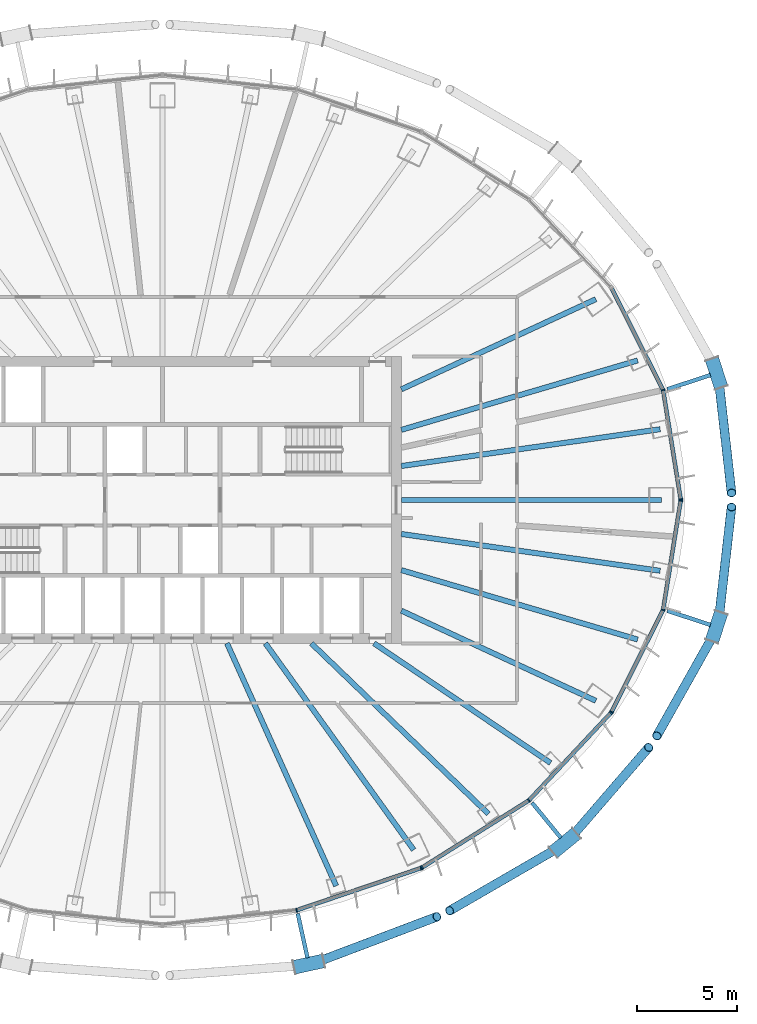
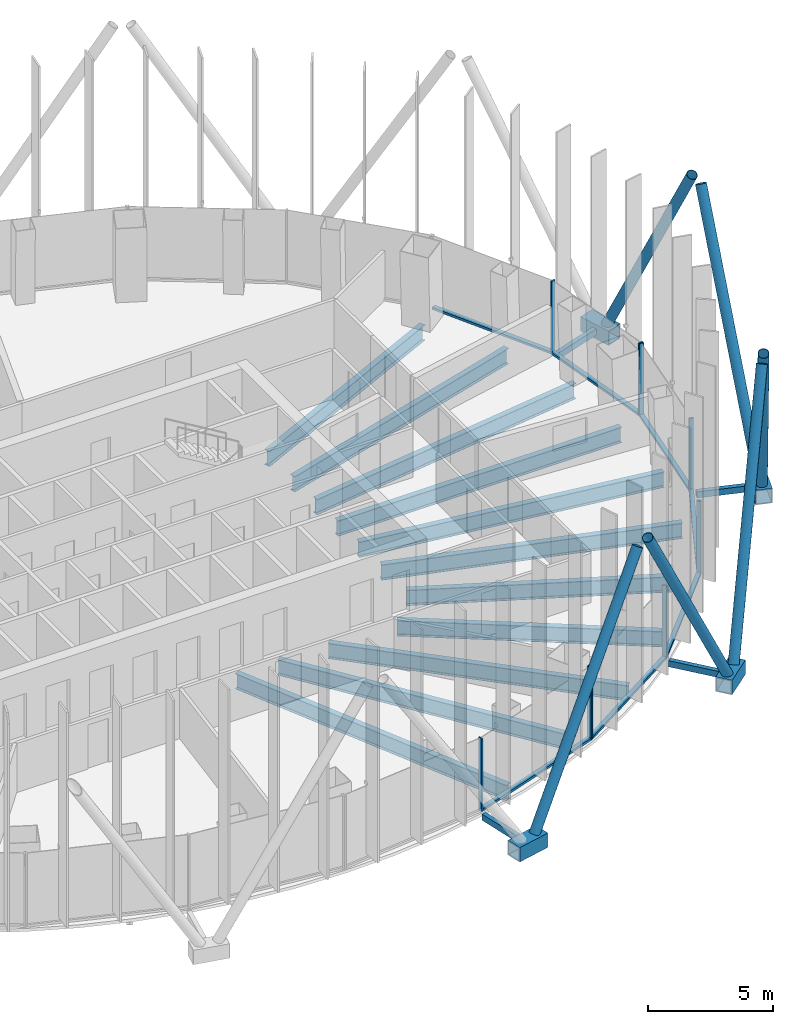
# One storey, part 4 of 19: 31 members, 11 beams, 4 elements without a shape of their own.
"""IFC4 building model written with IfcOpenShell, lengths in metres."""

from ifc_helpers import new_model, si_unit, direction, frame, origin, origin_2d, place, context, subcontext, project, spatial, rectangle, hollow_rectangle, hollow_circle, i_section, extrude, material, layer, layer_set, material_profile, profile_set, type_object, element, aggregate, save


model = new_model("IFC4")

# Units and contexts
model_context = context("Model", 3, precision=1e-05, world=origin(), true_north=direction((0.0, 1.0)))
body_context = subcontext(model_context, "Body", "Model", "MODEL_VIEW")
ifc_project = project(units=[si_unit("LENGTHUNIT", "METRE"), si_unit("AREAUNIT", "SQUARE_METRE"), si_unit("VOLUMEUNIT", "CUBIC_METRE"), si_unit("PLANEANGLEUNIT", "RADIAN"), si_unit("MASSUNIT", "GRAM", prefix="KILO")], contexts=[model_context])

# Site, building, storey
site_placement = place(None, origin())
site = spatial("IfcSite", under=ifc_project, at=site_placement, CompositionType="ELEMENT")
building_placement = place(site_placement, origin())
building = spatial("IfcBuilding", under=site, at=building_placement, Name="Siaravel Broadcast Tower", CompositionType="ELEMENT")
storey_placement = place(building_placement, frame((0.0, 0.0, 97.10009765625)))
storey = spatial("IfcBuildingStorey", under=building, at=storey_placement, Name="L22", CompositionType="ELEMENT", Elevation=97.10009765625)

# Beams
ifc_material_1 = material(Name="Steel S355", Category="steel")
ifc_material_profile_1 = material_profile(ifc_material_1, i_section(OverallWidth=0.26513671875, OverallDepth=0.75390625, WebThickness=0.0126953125, FlangeThickness=0.017578125, FilletRadius=0.0166015625, at=origin_2d()))
ifc_profile_set_1 = profile_set([ifc_material_profile_1], Name="Steel S355")
beam_type = type_object("IfcBeamType", Name="BM-UB 762x267x147", PredefinedType="BEAM", material=ifc_profile_set_1)
beam_1_placement = place(storey_placement, frame((25.08154296875, 0.0, -0.527099609375), z_axis=(-1.0, 0.0, 0.0), x_axis=(0.0, -1.0, 0.0)))
element("IfcBeam", 1, at=beam_1_placement, inside=storey, type_object=beam_type, Name="Radial beam RB01", PredefinedType="BEAM", context=body_context, shape_type="SweptSolid", body=[
    extrude(i_section(OverallWidth=0.26513671875, OverallDepth=0.75390625, WebThickness=0.0126953125, FlangeThickness=0.017578125, FilletRadius=0.0166015625, at=origin_2d()), origin(), (0.0, 0.0, 1.0), 13.08154296875),
])
beam_2_placement = place(storey_placement, frame((25.001708984375, 3.5556640625, -0.527099609375), z_axis=(-0.99003742, -0.140804496, 0.0), x_axis=(0.140804496, -0.99003742, 0.0)))
element("IfcBeam", 2, at=beam_2_placement, inside=storey, type_object=beam_type, Name="Radial beam RB02", PredefinedType="BEAM", context=body_context, shape_type="SweptSolid", body=[
    extrude(i_section(OverallWidth=0.26513671875, OverallDepth=0.75390625, WebThickness=0.0126953125, FlangeThickness=0.017578125, FilletRadius=0.0166015625, at=origin_2d()), origin(), (0.0, 0.0, 1.0), 13.132568359375),
])
beam_3_placement = place(storey_placement, frame((23.87158203125, 7.010009765625, -0.527099609375), z_axis=(-0.959487009, -0.281752869, 0.0), x_axis=(0.281752869, -0.959487009, 0.0)))
element("IfcBeam", 3, at=beam_3_placement, inside=storey, type_object=beam_type, Name="Radial beam RB03", PredefinedType="BEAM", context=body_context, shape_type="SweptSolid", body=[
    extrude(i_section(OverallWidth=0.26513671875, OverallDepth=0.75390625, WebThickness=0.0126953125, FlangeThickness=0.017578125, FilletRadius=0.0166015625, at=origin_2d()), origin(), (0.0, 0.0, 1.0), 12.372802734375),
])
beam_4_placement = place(storey_placement, frame((21.77490234375, 10.089111328125, -0.527099609375), z_axis=(-0.907338227, -0.420401405, 0.0), x_axis=(0.420401405, -0.907338227, 0.0)))
element("IfcBeam", 4, at=beam_4_placement, inside=storey, type_object=beam_type, Name="Radial beam RB04", PredefinedType="BEAM", context=body_context, shape_type="SweptSolid", body=[
    extrude(i_section(OverallWidth=0.26513671875, OverallDepth=0.75390625, WebThickness=0.0126953125, FlangeThickness=0.017578125, FilletRadius=0.0166015625, at=origin_2d()), origin(), (0.0, 0.0, 1.0), 10.773193359375),
])
beam_5_placement = place(storey_placement, frame((8.72607421875, -19.3857421875, -0.527099609375), z_axis=(-0.410458111, 0.911879454, 0.0), x_axis=(-0.911879454, -0.410458111, 0.0)))
element("IfcBeam", 5, at=beam_5_placement, inside=storey, type_object=beam_type, Name="Radial beam RB30", PredefinedType="BEAM", context=body_context, shape_type="SweptSolid", body=[
    extrude(i_section(OverallWidth=0.26513671875, OverallDepth=0.75390625, WebThickness=0.0126953125, FlangeThickness=0.017578125, FilletRadius=0.0166015625, at=origin_2d()), origin(), (0.0, 0.0, 1.0), 13.36328125),
])
beam_6_placement = place(storey_placement, frame((12.62060546875, -17.578125, -0.527099609375), z_axis=(-0.583215836, 0.812317234, 0.0), x_axis=(-0.812317234, -0.583215836, 0.0)))
element("IfcBeam", 6, at=beam_6_placement, inside=storey, type_object=beam_type, Name="Radial beam RB31", PredefinedType="BEAM", context=body_context, shape_type="SweptSolid", body=[
    extrude(i_section(OverallWidth=0.26513671875, OverallDepth=0.75390625, WebThickness=0.0126953125, FlangeThickness=0.017578125, FilletRadius=0.0166015625, at=origin_2d()), origin(), (0.0, 0.0, 1.0), 12.776123046875),
])
beam_7_placement = place(storey_placement, frame((16.3759765625, -15.76904296875, -0.527099609375), z_axis=(-0.720320579, 0.693641307, 0.0), x_axis=(-0.693641307, -0.720320579, 0.0)))
element("IfcBeam", 7, at=beam_7_placement, inside=storey, type_object=beam_type, Name="Radial beam RB32", PredefinedType="BEAM", context=body_context, shape_type="SweptSolid", body=[
    extrude(i_section(OverallWidth=0.26513671875, OverallDepth=0.75390625, WebThickness=0.0126953125, FlangeThickness=0.017578125, FilletRadius=0.0166015625, at=origin_2d()), origin(), (0.0, 0.0, 1.0), 12.353759765625),
])
beam_8_placement = place(storey_placement, frame((19.497314453125, -13.21240234375, -0.527099609375), z_axis=(-0.827824507, 0.560987153, 0.0), x_axis=(-0.560987153, -0.827824507, 0.0)))
element("IfcBeam", 8, at=beam_8_placement, inside=storey, type_object=beam_type, Name="Radial beam RB33", PredefinedType="BEAM", context=body_context, shape_type="SweptSolid", body=[
    extrude(i_section(OverallWidth=0.26513671875, OverallDepth=0.75390625, WebThickness=0.0126953125, FlangeThickness=0.017578125, FilletRadius=0.0166015625, at=origin_2d()), origin(), (0.0, 0.0, 1.0), 10.717529296875),
])
beam_9_placement = place(storey_placement, frame((21.77490234375, -10.089111328125, -0.527099609375), z_axis=(-0.907338227, 0.420401405, 0.0), x_axis=(-0.420401405, -0.907338227, 0.0)))
element("IfcBeam", 9, at=beam_9_placement, inside=storey, type_object=beam_type, Name="Radial beam RB34", PredefinedType="BEAM", context=body_context, shape_type="SweptSolid", body=[
    extrude(i_section(OverallWidth=0.26513671875, OverallDepth=0.75390625, WebThickness=0.0126953125, FlangeThickness=0.017578125, FilletRadius=0.0166015625, at=origin_2d()), origin(), (0.0, 0.0, 1.0), 10.773193359375),
])
beam_10_placement = place(storey_placement, frame((23.87158203125, -7.010009765625, -0.527099609375), z_axis=(-0.959487009, 0.281752869, 0.0), x_axis=(-0.281752869, -0.959487009, 0.0)))
element("IfcBeam", 10, at=beam_10_placement, inside=storey, type_object=beam_type, Name="Radial beam RB35", PredefinedType="BEAM", context=body_context, shape_type="SweptSolid", body=[
    extrude(i_section(OverallWidth=0.26513671875, OverallDepth=0.75390625, WebThickness=0.0126953125, FlangeThickness=0.017578125, FilletRadius=0.0166015625, at=origin_2d()), origin(), (0.0, 0.0, 1.0), 12.372802734375),
])
beam_11_placement = place(storey_placement, frame((25.001708984375, -3.5556640625, -0.527099609375), z_axis=(-0.99003742, 0.140804496, 0.0), x_axis=(-0.140804496, -0.99003742, 0.0)))
element("IfcBeam", 11, at=beam_11_placement, inside=storey, type_object=beam_type, Name="Radial beam RB36", PredefinedType="BEAM", context=body_context, shape_type="SweptSolid", body=[
    extrude(i_section(OverallWidth=0.26513671875, OverallDepth=0.75390625, WebThickness=0.0126953125, FlangeThickness=0.017578125, FilletRadius=0.0166015625, at=origin_2d()), origin(), (0.0, 0.0, 1.0), 13.132568359375),
])

# Curtain wall, members
ifc_material_2 = material(Name="Aluminium 6063-T6", Category="aluminium")
ifc_layer = layer(ifc_material_2, 0.199951171875)
ifc_layer_set = layer_set([ifc_layer], Name="Aluminium 6063-T6")
curtain_wall_type = type_object("IfcCurtainWallType", Name="Unitised curtain wall, zone 2", PredefinedType="NOTDEFINED", material=ifc_layer_set)
curtain_wall_1_placement = place(storey_placement, origin())
curtain_wall_1 = element("IfcCurtainWall", 12, at=curtain_wall_1_placement, inside=storey, type_object=curtain_wall_type, Name="L22 Unitised curtain wall, zone 2 01", PredefinedType="NOTDEFINED")
ifc_material_profile_2 = material_profile(ifc_material_2, rectangle(XDim=0.199951171875, YDim=0.06494140625, at=origin_2d()))
ifc_profile_set_2 = profile_set([ifc_material_profile_2], Name="Aluminium 6063-T6")
member_type_1 = type_object("IfcMemberType", Name="CW-Z2 mullion", PredefinedType="MULLION", material=ifc_profile_set_2)
member_1_placement = place(storey_placement, frame((26.0341796875, 0.031982421875, 0.0), z_axis=(0.0, 0.0, 1.0), x_axis=(-0.987329139, -0.15868576, 0.0)))
member_1 = element("IfcMember", 13, at=member_1_placement, type_object=member_type_1, Name="CW-Z2 mullion 1", PredefinedType="MULLION", context=body_context, shape_type="SweptSolid", body=[
    extrude(rectangle(XDim=0.199951171875, YDim=0.06494140625, at=origin_2d()), origin(), (0.0, 0.0, 1.0), 3.5498046875),
])
member_2_placement = place(storey_placement, frame((25.151611328125, 5.525390625, 0.0), z_axis=(0.0, 0.0, 1.0), x_axis=(-0.951177085, -0.308645676, 0.0)))
member_2 = element("IfcMember", 14, at=member_2_placement, type_object=member_type_1, Name="CW-Z2 mullion 2", PredefinedType="MULLION", context=body_context, shape_type="SweptSolid", body=[
    extrude(rectangle(XDim=0.199951171875, YDim=0.06494140625, at=origin_2d()), origin(), (0.0, 0.0, 1.0), 3.5498046875),
])

curtain_wall_2_placement = place(storey_placement, origin())
curtain_wall_2 = element("IfcCurtainWall", 15, at=curtain_wall_2_placement, inside=storey, type_object=curtain_wall_type, Name="L22 Unitised curtain wall, zone 2 10", PredefinedType="NOTDEFINED")
member_3_placement = place(storey_placement, frame((6.7373046875, -20.61181640625, 0.0), z_axis=(0.0, 0.0, 1.0), x_axis=(-0.215557941, 0.976491052, 0.0)))
member_3 = element("IfcMember", 16, at=member_3_placement, type_object=member_type_1, Name="CW-Z2 mullion 2", PredefinedType="MULLION", context=body_context, shape_type="SweptSolid", body=[
    extrude(rectangle(XDim=0.199951171875, YDim=0.06494140625, at=origin_2d()), origin(), (0.0, 0.0, 1.0), 3.5498046875),
])
member_4_placement = place(storey_placement, frame((12.9853515625, -18.491943359375, 0.0), z_axis=(0.0, 0.0, 1.0), x_axis=(-0.321300433, 0.946977313, 0.0)))
member_4 = element("IfcMember", 17, at=member_4_placement, type_object=member_type_1, Name="CW-Z2 mullion 3", PredefinedType="MULLION", context=body_context, shape_type="SweptSolid", body=[
    extrude(rectangle(XDim=0.199951171875, YDim=0.06494140625, at=origin_2d()), origin(), (0.0, 0.0, 1.0), 3.5498046875),
])

curtain_wall_3_placement = place(storey_placement, origin())
curtain_wall_3 = element("IfcCurtainWall", 18, at=curtain_wall_3_placement, inside=storey, type_object=curtain_wall_type, Name="L22 Unitised curtain wall, zone 2 11", PredefinedType="NOTDEFINED")
member_5_placement = place(storey_placement, frame((13.043701171875, -18.464111328125, 0.0), z_axis=(0.0, 0.0, 1.0), x_axis=(-0.5321489, 0.846650783, 0.0)))
member_5 = element("IfcMember", 19, at=member_5_placement, type_object=member_type_1, Name="CW-Z2 mullion 1", PredefinedType="MULLION", context=body_context, shape_type="SweptSolid", body=[
    extrude(rectangle(XDim=0.199951171875, YDim=0.06494140625, at=origin_2d()), origin(), (0.0, 0.0, 1.0), 3.5498046875),
])
member_6_placement = place(storey_placement, frame((18.408935546875, -15.091796875, 0.0), z_axis=(0.0, 0.0, 1.0), x_axis=(-0.636218267, 0.771509117, 0.0)))
member_6 = element("IfcMember", 20, at=member_6_placement, type_object=member_type_1, Name="CW-Z2 mullion 2", PredefinedType="MULLION", context=body_context, shape_type="SweptSolid", body=[
    extrude(rectangle(XDim=0.199951171875, YDim=0.06494140625, at=origin_2d()), origin(), (0.0, 0.0, 1.0), 3.5498046875),
])
member_7_placement = place(storey_placement, frame((22.526123046875, -10.69677734375, 0.0), z_axis=(0.0, 0.0, 1.0), x_axis=(-0.729804854, 0.683655524, 0.0)))
member_7 = element("IfcMember", 21, at=member_7_placement, type_object=member_type_1, Name="CW-Z2 mullion 3", PredefinedType="MULLION", context=body_context, shape_type="SweptSolid", body=[
    extrude(rectangle(XDim=0.199951171875, YDim=0.06494140625, at=origin_2d()), origin(), (0.0, 0.0, 1.0), 3.5498046875),
])

curtain_wall_4_placement = place(storey_placement, origin())
curtain_wall_4 = element("IfcCurtainWall", 22, at=curtain_wall_4_placement, inside=storey, type_object=curtain_wall_type, Name="L22 Unitised curtain wall, zone 2 12", PredefinedType="NOTDEFINED")
member_8_placement = place(storey_placement, frame((22.56298828125, -10.64404296875, 0.0), z_axis=(0.0, 0.0, 1.0), x_axis=(-0.892391822, 0.451261384, 0.0)))
member_8 = element("IfcMember", 23, at=member_8_placement, type_object=member_type_1, Name="CW-Z2 mullion 1", PredefinedType="MULLION", context=body_context, shape_type="SweptSolid", body=[
    extrude(rectangle(XDim=0.199951171875, YDim=0.06494140625, at=origin_2d()), origin(), (0.0, 0.0, 1.0), 3.5498046875),
])
member_9_placement = place(storey_placement, frame((25.151611328125, -5.525390625, 0.0), z_axis=(0.0, 0.0, 1.0), x_axis=(-0.951177085, 0.308645676, 0.0)))
member_9 = element("IfcMember", 24, at=member_9_placement, type_object=member_type_1, Name="CW-Z2 mullion 2", PredefinedType="MULLION", context=body_context, shape_type="SweptSolid", body=[
    extrude(rectangle(XDim=0.199951171875, YDim=0.06494140625, at=origin_2d()), origin(), (0.0, 0.0, 1.0), 3.5498046875),
])
member_10_placement = place(storey_placement, frame((26.0341796875, -0.031982421875, 0.0), z_axis=(0.0, 0.0, 1.0), x_axis=(-0.987329139, 0.15868576, 0.0)))
member_10 = element("IfcMember", 25, at=member_10_placement, type_object=member_type_1, Name="CW-Z2 mullion 3", PredefinedType="MULLION", context=body_context, shape_type="SweptSolid", body=[
    extrude(rectangle(XDim=0.199951171875, YDim=0.06494140625, at=origin_2d()), origin(), (0.0, 0.0, 1.0), 3.5498046875),
])

# Member
ifc_material_profile_3 = material_profile(ifc_material_2, rectangle(XDim=0.199951171875, YDim=0.110107421875, at=origin_2d()))
ifc_profile_set_3 = profile_set([ifc_material_profile_3], Name="Aluminium 6063-T6")
member_type_2 = type_object("IfcMemberType", Name="CW-Z2 transom", PredefinedType="USERDEFINED", material=ifc_profile_set_3)
member_11_placement = place(storey_placement, frame((26.029296875, 0.064208984375, 0.054931640625), z_axis=(-0.158722921, 0.987323166, 0.0), x_axis=(-0.987323166, -0.158722921, 0.0)))
member_11 = element("IfcMember", 26, at=member_11_placement, type_object=member_type_2, Name="CW-Z2 transom 1", ObjectType="TRANSOM", PredefinedType="USERDEFINED", context=body_context, shape_type="SweptSolid", body=[
    extrude(rectangle(XDim=0.199951171875, YDim=0.110107421875, at=origin_2d()), origin(), (0.0, 0.0, 1.0), 5.4990234375),
])

member_12_placement = place(storey_placement, frame((25.13671875, 5.554443359375, 0.054931640625), z_axis=(-0.45123882, 0.892403231, 0.0), x_axis=(-0.892403231, -0.45123882, 0.0)))
member_12 = element("IfcMember", 27, at=member_12_placement, type_object=member_type_2, Name="CW-Z2 transom 2", ObjectType="TRANSOM", PredefinedType="USERDEFINED", context=body_context, shape_type="SweptSolid", body=[
    extrude(rectangle(XDim=0.199951171875, YDim=0.110107421875, at=origin_2d()), origin(), (0.0, 0.0, 1.0), 5.670654296875),
])

aggregate(curtain_wall_1, [member_1, member_2, member_11, member_12])

member_13_placement = place(storey_placement, frame((6.76806640625, -20.601318359375, 0.054931640625), z_axis=(0.946973015, 0.321313101, 0.0), x_axis=(-0.321313101, 0.946973015, 0.0)))
member_13 = element("IfcMember", 28, at=member_13_placement, type_object=member_type_2, Name="CW-Z2 transom 2", ObjectType="TRANSOM", PredefinedType="USERDEFINED", context=body_context, shape_type="SweptSolid", body=[
    extrude(rectangle(XDim=0.199951171875, YDim=0.110107421875, at=origin_2d()), origin(), (0.0, 0.0, 1.0), 6.532958984375),
])

aggregate(curtain_wall_2, [member_3, member_4, member_13])

member_14_placement = place(storey_placement, frame((13.0712890625, -18.44677734375, 0.054931640625), z_axis=(0.846655089, 0.532142049, 0.0), x_axis=(-0.532142049, 0.846655089, 0.0)))
member_14 = element("IfcMember", 29, at=member_14_placement, type_object=member_type_2, Name="CW-Z2 transom 1", ObjectType="TRANSOM", PredefinedType="USERDEFINED", context=body_context, shape_type="SweptSolid", body=[
    extrude(rectangle(XDim=0.199951171875, YDim=0.110107421875, at=origin_2d()), origin(), (0.0, 0.0, 1.0), 6.272216796875),
])

member_15_placement = place(storey_placement, frame((18.431396484375, -15.068115234375, 0.054931640625), z_axis=(0.6836357, 0.729823424, 0.0), x_axis=(-0.729823424, 0.6836357, 0.0)))
member_15 = element("IfcMember", 30, at=member_15_placement, type_object=member_type_2, Name="CW-Z2 transom 2", ObjectType="TRANSOM", PredefinedType="USERDEFINED", context=body_context, shape_type="SweptSolid", body=[
    extrude(rectangle(XDim=0.199951171875, YDim=0.110107421875, at=origin_2d()), origin(), (0.0, 0.0, 1.0), 5.95703125),
])

aggregate(curtain_wall_3, [member_5, member_6, member_7, member_14, member_15])

member_16_placement = place(storey_placement, frame((22.577880859375, -10.614990234375, 0.054931640625), z_axis=(0.45123882, 0.892403231, 0.0), x_axis=(-0.892403231, 0.45123882, 0.0)))
member_16 = element("IfcMember", 31, at=member_16_placement, type_object=member_type_2, Name="CW-Z2 transom 1", ObjectType="TRANSOM", PredefinedType="USERDEFINED", context=body_context, shape_type="SweptSolid", body=[
    extrude(rectangle(XDim=0.199951171875, YDim=0.110107421875, at=origin_2d()), origin(), (0.0, 0.0, 1.0), 5.670654296875),
])

member_17_placement = place(storey_placement, frame((25.156494140625, -5.493408203125, 0.054931640625), z_axis=(0.158722921, 0.987323166, 0.0), x_axis=(-0.987323166, 0.158722921, 0.0)))
member_17 = element("IfcMember", 32, at=member_17_placement, type_object=member_type_2, Name="CW-Z2 transom 2", ObjectType="TRANSOM", PredefinedType="USERDEFINED", context=body_context, shape_type="SweptSolid", body=[
    extrude(rectangle(XDim=0.199951171875, YDim=0.110107421875, at=origin_2d()), origin(), (0.0, 0.0, 1.0), 5.4990234375),
])

aggregate(curtain_wall_4, [member_8, member_9, member_10, member_16, member_17])

# Members
ifc_material_3 = material(Name="Steel S460", Category="steel")
ifc_material_profile_4 = material_profile(ifc_material_3, hollow_circle(Radius=0.228515625, WallThickness=0.02001953125, at=origin_2d()))
ifc_profile_set_4 = profile_set([ifc_material_profile_4], Name="Steel S460")
member_type_3 = type_object("IfcMemberType", Name="Diagrid diagonal CHS 457x20", PredefinedType="BRACE", material=ifc_profile_set_4)
member_18_placement = place(storey_placement, frame((27.945068359375, 6.04150390625, 0.119873046875), z_axis=(0.053850618, -0.475415289, 0.878111846), x_axis=(0.993645953, 0.112550964, 0.0)))
element("IfcMember", 33, at=member_18_placement, inside=storey, type_object=member_type_3, Name="Diagrid diagonal R10 station 03C", PredefinedType="BRACE", context=body_context, shape_type="SweptSolid", body=[
    extrude(hollow_circle(Radius=0.228515625, WallThickness=0.02001953125, at=origin_2d()), origin(), (0.0, 0.0, 1.0), 11.968994140625),
])
member_19_placement = place(storey_placement, frame((7.697021484375, -23.24072265625, 0.119873046875), z_axis=(0.492688247, 0.186337728, 0.850021495), x_axis=(-0.353751181, 0.935339565, 0.0)))
element("IfcMember", 34, at=member_19_placement, inside=storey, type_object=member_type_3, Name="Diagrid diagonal R10 station 57A", PredefinedType="BRACE", context=body_context, shape_type="SweptSolid", body=[
    extrude(hollow_circle(Radius=0.228515625, WallThickness=0.02001953125, at=origin_2d()), origin(), (0.0, 0.0, 1.0), 12.364501953125),
])
member_20_placement = place(storey_placement, frame((19.94384765625, -17.443359375, 0.119873046875), z_axis=(-0.44902417, -0.259742907, 0.854933282), x_axis=(0.500720828, -0.865608833, 0.0)))
element("IfcMember", 35, at=member_20_placement, inside=storey, type_object=member_type_3, Name="Diagrid diagonal R10 station 63C", PredefinedType="BRACE", context=body_context, shape_type="SweptSolid", body=[
    extrude(hollow_circle(Radius=0.228515625, WallThickness=0.02001953125, at=origin_2d()), origin(), (0.0, 0.0, 1.0), 12.29345703125),
])
member_21_placement = place(storey_placement, frame((20.487548828125, -16.998291015625, 0.119873046875), z_axis=(0.325331869, 0.377002225, 0.867195767), x_axis=(-0.757082184, 0.653319651, 0.0)))
element("IfcMember", 36, at=member_21_placement, inside=storey, type_object=member_type_3, Name="Diagrid diagonal R10 station 63A", PredefinedType="BRACE", context=body_context, shape_type="SweptSolid", body=[
    extrude(hollow_circle(Radius=0.228515625, WallThickness=0.02001953125, at=origin_2d()), origin(), (0.0, 0.0, 1.0), 12.11962890625),
])
member_22_placement = place(storey_placement, frame((27.7265625, -6.709228515625, 0.119873046875), z_axis=(-0.239866967, -0.426891503, 0.871910249), x_axis=(0.871801896, -0.489858607, 0.0)))
element("IfcMember", 37, at=member_22_placement, inside=storey, type_object=member_type_3, Name="Diagrid diagonal R10 station 69C", PredefinedType="BRACE", context=body_context, shape_type="SweptSolid", body=[
    extrude(hollow_circle(Radius=0.228515625, WallThickness=0.02001953125, at=origin_2d()), origin(), (0.0, 0.0, 1.0), 12.053955078125),
])
member_23_placement = place(storey_placement, frame((27.945068359375, -6.04150390625, 0.119873046875), z_axis=(0.053850618, 0.475415289, 0.878111846), x_axis=(-0.993645953, 0.112550964, 0.0)))
element("IfcMember", 38, at=member_23_placement, inside=storey, type_object=member_type_3, Name="Diagrid diagonal R10 station 69A", PredefinedType="BRACE", context=body_context, shape_type="SweptSolid", body=[
    extrude(hollow_circle(Radius=0.228515625, WallThickness=0.02001953125, at=origin_2d()), origin(), (0.0, 0.0, 1.0), 11.968994140625),
])
ifc_material_profile_5 = material_profile(ifc_material_3, hollow_rectangle(XDim=0.699951171875, YDim=0.699951171875, WallThickness=0.0400390625, at=origin_2d()))
ifc_profile_set_5 = profile_set([ifc_material_profile_5], Name="Steel S460")
member_type_4 = type_object("IfcMemberType", Name="Diagrid node BOX 700x700x40", PredefinedType="USERDEFINED", material=ifc_profile_set_5)
member_24_placement = place(storey_placement, frame((28.070068359375, 5.6591796875, -0.2001953125), z_axis=(-0.310876766, 0.950450228, 0.0), x_axis=(-0.950450228, -0.310876766, 0.0)))
element("IfcMember", 39, at=member_24_placement, inside=storey, type_object=member_type_4, Name="Diagrid node R10 station 03", ObjectType="DIAGRID NODE", PredefinedType="USERDEFINED", context=body_context, shape_type="SweptSolid", body=[
    extrude(hollow_rectangle(XDim=0.699951171875, YDim=0.699951171875, WallThickness=0.0400390625, at=origin_2d()), origin(), (0.0, 0.0, 1.0), 1.507080078125),
])
member_25_placement = place(storey_placement, frame((6.617919921875, -23.4775390625, -0.2001953125), z_axis=(0.976751791, 0.214373361, 0.0), x_axis=(-0.214373361, 0.976751791, 0.0)))
element("IfcMember", 40, at=member_25_placement, inside=storey, type_object=member_type_4, Name="Diagrid node R10 station 57", ObjectType="DIAGRID NODE", PredefinedType="USERDEFINED", context=body_context, shape_type="SweptSolid", body=[
    extrude(hollow_rectangle(XDim=0.699951171875, YDim=0.699951171875, WallThickness=0.0400390625, at=origin_2d()), origin(), (0.0, 0.0, 1.0), 1.506591796875),
])
member_26_placement = place(storey_placement, frame((19.6328125, -17.6982421875, -0.2001953125), z_axis=(0.773625141, 0.633643545, 0.0), x_axis=(-0.633643545, 0.773625141, 0.0)))
element("IfcMember", 41, at=member_26_placement, inside=storey, type_object=member_type_4, Name="Diagrid node R10 station 63", ObjectType="DIAGRID NODE", PredefinedType="USERDEFINED", context=body_context, shape_type="SweptSolid", body=[
    extrude(hollow_rectangle(XDim=0.699951171875, YDim=0.699951171875, WallThickness=0.0400390625, at=origin_2d()), origin(), (0.0, 0.0, 1.0), 1.5068359375),
])
member_27_placement = place(storey_placement, frame((27.6015625, -7.091552734375, -0.2001953125), z_axis=(0.310876766, 0.950450228, 0.0), x_axis=(-0.950450228, 0.310876766, 0.0)))
element("IfcMember", 42, at=member_27_placement, inside=storey, type_object=member_type_4, Name="Diagrid node R10 station 69", ObjectType="DIAGRID NODE", PredefinedType="USERDEFINED", context=body_context, shape_type="SweptSolid", body=[
    extrude(hollow_rectangle(XDim=0.699951171875, YDim=0.699951171875, WallThickness=0.0400390625, at=origin_2d()), origin(), (0.0, 0.0, 1.0), 1.507080078125),
])
ifc_material_profile_6 = material_profile(ifc_material_3, hollow_rectangle(XDim=0.199951171875, YDim=0.300048828125, WallThickness=0.012451171875, at=origin_2d()))
ifc_profile_set_6 = profile_set([ifc_material_profile_6], Name="Steel S460")
member_type_5 = type_object("IfcMemberType", Name="Diagrid node arm RHS 300x200x12.5", PredefinedType="STRUT", material=ifc_profile_set_6)
member_28_placement = place(storey_placement, frame((25.364501953125, 5.56689453125, -0.2001953125), z_axis=(0.950435102, 0.310923007, 0.0), x_axis=(-0.310923007, 0.950435102, 0.0)))
element("IfcMember", 43, at=member_28_placement, inside=storey, type_object=member_type_5, Name="Node arm R10 station 03", PredefinedType="STRUT", context=body_context, shape_type="SweptSolid", body=[
    extrude(hollow_rectangle(XDim=0.199951171875, YDim=0.300048828125, WallThickness=0.012451171875, at=origin_2d()), origin(), (0.0, 0.0, 1.0), 2.2802734375),
])
member_29_placement = place(storey_placement, frame((6.79638671875, -20.776611328125, -0.2001953125), z_axis=(0.214389852, -0.976748172, 0.0), x_axis=(0.976748172, 0.214389852, 0.0)))
element("IfcMember", 44, at=member_29_placement, inside=storey, type_object=member_type_5, Name="Node arm R10 station 57", PredefinedType="STRUT", context=body_context, shape_type="SweptSolid", body=[
    extrude(hollow_rectangle(XDim=0.199951171875, YDim=0.300048828125, WallThickness=0.012451171875, at=origin_2d()), origin(), (0.0, 0.0, 1.0), 2.27978515625),
])
member_30_placement = place(storey_placement, frame((18.568115234375, -15.20947265625, -0.2001953125), z_axis=(0.633715831, -0.773565928, 0.0), x_axis=(0.773565928, 0.633715831, 0.0)))
element("IfcMember", 45, at=member_30_placement, inside=storey, type_object=member_type_5, Name="Node arm R10 station 63", PredefinedType="STRUT", context=body_context, shape_type="SweptSolid", body=[
    extrude(hollow_rectangle(XDim=0.199951171875, YDim=0.300048828125, WallThickness=0.012451171875, at=origin_2d()), origin(), (0.0, 0.0, 1.0), 2.280029296875),
])
member_31_placement = place(storey_placement, frame((25.364501953125, -5.56689453125, -0.2001953125), z_axis=(0.950435102, -0.310923007, 0.0), x_axis=(0.310923007, 0.950435102, 0.0)))
element("IfcMember", 46, at=member_31_placement, inside=storey, type_object=member_type_5, Name="Node arm R10 station 69", PredefinedType="STRUT", context=body_context, shape_type="SweptSolid", body=[
    extrude(hollow_rectangle(XDim=0.199951171875, YDim=0.300048828125, WallThickness=0.012451171875, at=origin_2d()), origin(), (0.0, 0.0, 1.0), 2.2802734375),
])

save(model, "model.ifc")
